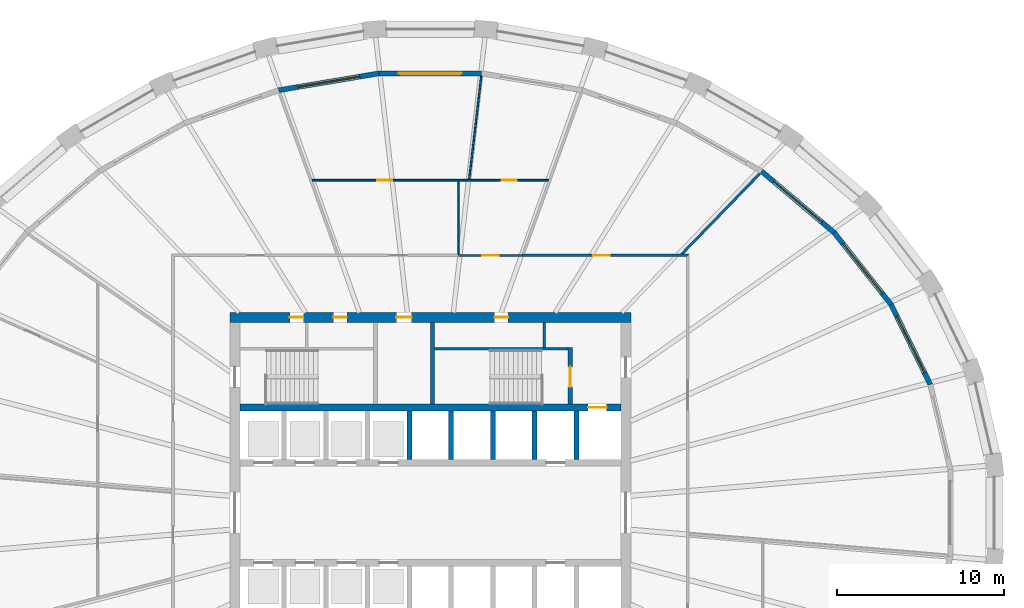
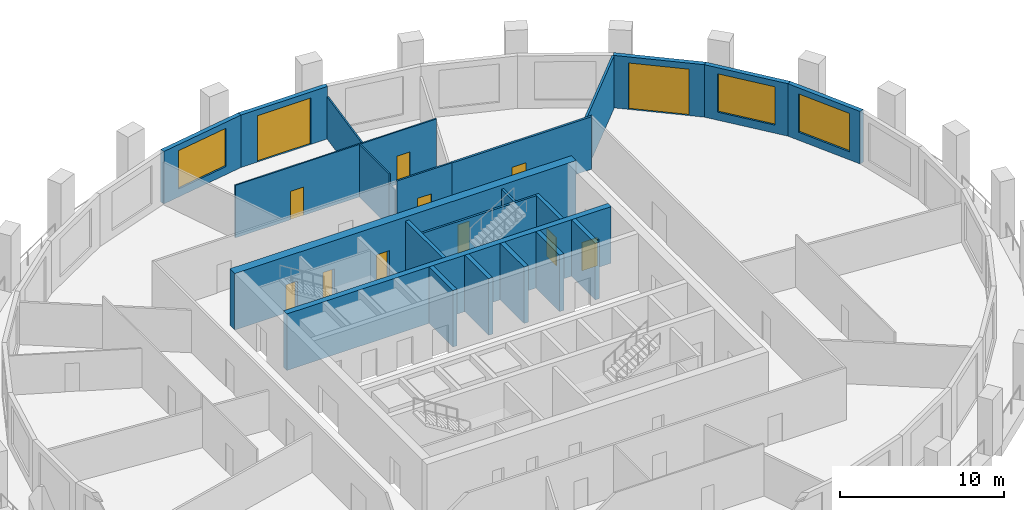
# One storey, part 6 of 10: 23 walls, 12 doors, 3 windows, 15 openings.
"""IFC4 building model written with IfcOpenShell, lengths in metres."""

from ifc_helpers import new_model, si_unit, direction, frame, frame_2d, origin, place, context, subcontext, project, spatial, polyline, rectangle, outline, extrude, material, layer, layer_set, type_object, element, fill, save


model = new_model("IFC4")

# Units and contexts
model_context = context("Model", 3, precision=1e-05, world=origin(), true_north=direction((0.0, 1.0)))
body_context = subcontext(model_context, "Body", "Model", "MODEL_VIEW")
ifc_project = project(units=[si_unit("LENGTHUNIT", "METRE"), si_unit("AREAUNIT", "SQUARE_METRE"), si_unit("VOLUMEUNIT", "CUBIC_METRE"), si_unit("PLANEANGLEUNIT", "RADIAN"), si_unit("MASSUNIT", "GRAM", prefix="KILO")], contexts=[model_context])

# Site, building, storey
site_placement = place(None, origin())
site = spatial("IfcSite", under=ifc_project, at=site_placement, CompositionType="ELEMENT")
building_placement = place(site_placement, origin())
building = spatial("IfcBuilding", under=site, at=building_placement, Name="Halqa Exchange Tower", CompositionType="ELEMENT")
storey_placement = place(building_placement, frame((0.0, 0.0, 154.89990234375)))
storey = spatial("IfcBuildingStorey", under=building, at=storey_placement, Name="L35", CompositionType="ELEMENT", Elevation=154.89990234375)

# Wall, opening, door
ifc_material_1 = material(Name="Fire-rated gypsum board")
ifc_layer_1 = layer(ifc_material_1, 0.14990234375)
ifc_layer_set_1 = layer_set([ifc_layer_1], Name="Fire-rated gypsum board")
wall_type_1 = type_object("IfcWallType", Name="Fire partition EI 60 150", PredefinedType="PARTITIONING", material=ifc_layer_set_1)
wall_1_placement = place(storey_placement, frame((5.530029296875, 15.39990234375, 0.0), z_axis=(0.0, 0.0, 1.0), x_axis=(1.0, 0.0, 0.0)))
wall_1 = element("IfcWall", 1, at=wall_1_placement, inside=storey, type_object=wall_type_1, Name="L35-PWL-020", PredefinedType="PARTITIONING", context=body_context, shape_type="SweptSolid", body=[
    extrude(outline(polyline([(0.0, -0.074951171875), (1.958984375, -0.074951171875), (3.91796875, -0.074951171875), (5.876953125, -0.074951171875), (7.8359375, -0.074951171875), (9.794921875, -0.074951171875), (9.94482421875, 0.074951171875), (7.955810546875, 0.074951171875), (5.966796875, 0.074951171875), (3.97802734375, 0.074951171875), (1.989013671875, 0.074951171875), (0.0, 0.074951171875), (0.0, -0.074951171875)])), origin(), (0.0, 0.0, 1.0), 3.900146484375),
])
opening_1_placement = place(wall_1_placement, frame((4.219970703125, 0.0, 0.0)))
opening_1 = element("IfcOpeningElement", 2, at=opening_1_placement, cuts=wall_1, Name="Opening 11-12", PredefinedType="OPENING", context=body_context, shape_type="SweptSolid", body=[
    extrude(rectangle(XDim=1.0, YDim=2.10009765625, at=frame_2d((0.5, 1.050048828125))), frame((0.0, 0.0869140625, 0.0), z_axis=(0.0, -1.0, 0.0), x_axis=(1.0, 0.0, 0.0)), (0.0, 0.0, 1.0), 0.173828125),
])
ifc_material_2 = material(Name="Steel fire door leaf", Category="steel")
door_type_1 = type_object("IfcDoorType", Name="Fire door FD30S 1000 x 2100", OperationType="SINGLE_SWING_LEFT", PredefinedType="DOOR", material=ifc_material_2)
door_1_placement = place(opening_1_placement, origin())
door_1 = element("IfcDoor", 3, at=door_1_placement, inside=storey, type_object=door_type_1, Name="L35-IDR-012", OperationType="SINGLE_SWING_RIGHT", OverallHeight=2.10009765625, OverallWidth=1.0, PredefinedType="DOOR", context=body_context, shape_type="SweptSolid", body=[
    extrude(rectangle(XDim=1.0, YDim=2.10009765625, at=frame_2d((0.5, 1.050048828125))), frame((0.0, 0.02490234375, 0.0), z_axis=(0.0, -1.0, 0.0), x_axis=(1.0, 0.0, 0.0)), (0.0, 0.0, 1.0), 0.050048828125),
])
fill(opening_1, door_1)

# Wall
wall_2_placement = place(storey_placement, frame((14.9921875, 15.423095703125, 0.0), z_axis=(0.0, 0.0, 1.0), x_axis=(0.696574400919, 0.71748456707, 0.0)))
element("IfcWall", 4, at=wall_2_placement, inside=storey, type_object=wall_type_1, Name="L35-PWL-021", PredefinedType="PARTITIONING", context=body_context, shape_type="SweptSolid", body=[
    extrude(outline(polyline([(0.0, 0.074951171875), (0.0, 0.074462890625), (0.14501953125, -0.074951171875), (1.8076171875, -0.074951171875), (3.47021484375, -0.074951171875), (5.132568359375, -0.074951171875), (6.795166015625, -0.074951171875), (6.795166015625, 0.074951171875), (5.096435546875, 0.074951171875), (3.3974609375, 0.074951171875), (1.69873046875, 0.074951171875), (0.0, 0.074951171875)])), origin(), (0.0, 0.0, 1.0), 3.900146484375),
])

# Wall, opening, door
ifc_material_3 = material(Name="Fire-rated glazing", Category="glass")
ifc_layer_2 = layer(ifc_material_3, 0.1201171875)
ifc_layer_set_2 = layer_set([ifc_layer_2], Name="Fire-rated glazing")
wall_type_2 = type_object("IfcWallType", Name="Glazed fire partition EI 60 120", PredefinedType="PARTITIONING", material=ifc_layer_set_2)
wall_3_placement = place(storey_placement, frame((1.679931640625, 15.39990234375, 0.0), z_axis=(0.0, 0.0, 1.0), x_axis=(1.0, 0.0, 0.0)))
wall_3 = element("IfcWall", 5, at=wall_3_placement, inside=storey, type_object=wall_type_2, Name="L35-PWL-016", PredefinedType="PARTITIONING", context=body_context, shape_type="SweptSolid", body=[
    extrude(rectangle(XDim=3.85009765625, YDim=0.1201171875, at=frame_2d((1.925048828125, 0.0))), origin(), (0.0, 0.0, 1.0), 3.900146484375),
])
opening_2_placement = place(wall_3_placement, frame((1.425048828125, 0.0, 0.0)))
opening_2 = element("IfcOpeningElement", 6, at=opening_2_placement, cuts=wall_3, Name="Opening 11-01", PredefinedType="OPENING", context=body_context, shape_type="SweptSolid", body=[
    extrude(rectangle(XDim=1.0, YDim=2.10009765625, at=frame_2d((0.5, 1.050048828125))), frame((0.0, 0.072021484375, 0.0), z_axis=(0.0, -1.0, 0.0), x_axis=(1.0, 0.0, 0.0)), (0.0, 0.0, 1.0), 0.14404296875),
])
door_2_placement = place(opening_2_placement, origin())
door_2 = element("IfcDoor", 7, at=door_2_placement, inside=storey, type_object=door_type_1, Name="L35-IDR-001", OperationType="SINGLE_SWING_LEFT", OverallHeight=2.10009765625, OverallWidth=1.0, PredefinedType="DOOR", context=body_context, shape_type="SweptSolid", body=[
    extrude(rectangle(XDim=1.0, YDim=2.10009765625, at=frame_2d((0.5, 1.050048828125))), frame((0.0, 0.02490234375, 0.0), z_axis=(0.0, -1.0, 0.0), x_axis=(1.0, 0.0, 0.0)), (0.0, 0.0, 1.0), 0.050048828125),
])
fill(opening_2, door_2)

# Wall, openings, doors
ifc_material_4 = material(Name="Gypsum board")
ifc_layer_3 = layer(ifc_material_4, 0.10009765625)
ifc_layer_set_3 = layer_set([ifc_layer_3], Name="Gypsum board")
wall_type_3 = type_object("IfcWallType", Name="Partition 100 gypsum", PredefinedType="PARTITIONING", material=ifc_layer_set_3)
wall_4_placement = place(storey_placement, frame((-7.08740234375, 19.89990234375, 0.0), z_axis=(0.0, 0.0, 1.0), x_axis=(1.0, 0.0, 0.0)))
wall_4 = element("IfcWall", 8, at=wall_4_placement, inside=storey, type_object=wall_type_3, Name="L35-PWL-013", PredefinedType="PARTITIONING", context=body_context, shape_type="SweptSolid", body=[
    extrude(outline(polyline([(0.03564453125, -0.050048828125), (1.77197265625, -0.050048828125), (3.50830078125, -0.050048828125), (5.24462890625, -0.050048828125), (6.98095703125, -0.050048828125), (8.71728515625, -0.050048828125), (8.71728515625, -0.0498046875), (8.8173828125, -0.0498046875), (8.8173828125, -0.050048828125), (10.59130859375, -0.050048828125), (12.365234375, -0.050048828125), (14.13916015625, -0.050048828125), (14.1748046875, 0.048583984375), (14.1748046875, 0.050048828125), (12.6044921875, 0.050048828125), (11.033935546875, 0.050048828125), (9.463623046875, 0.050048828125), (9.463623046875, 0.048828125), (9.45361328125, 0.050048828125), (7.56298828125, 0.050048828125), (5.672119140625, 0.050048828125), (3.781494140625, 0.050048828125), (1.890625, 0.050048828125), (0.0, 0.050048828125), (0.0, 0.048583984375), (0.03564453125, -0.050048828125)])), origin(), (0.0, 0.0, 1.0), 3.900146484375),
])
opening_3_placement = place(wall_4_placement, frame((3.902587890625, 0.0, 0.0)))
opening_3 = element("IfcOpeningElement", 9, at=opening_3_placement, cuts=wall_4, Name="Opening 11-13", PredefinedType="OPENING", context=body_context, shape_type="SweptSolid", body=[
    extrude(rectangle(XDim=0.89990234375, YDim=2.10009765625, at=frame_2d((0.449951171875, 1.050048828125))), frame((0.0, 0.06201171875, 0.0), z_axis=(0.0, -1.0, 0.0), x_axis=(1.0, 0.0, 0.0)), (0.0, 0.0, 1.0), 0.1240234375),
])
opening_4_placement = place(wall_4_placement, frame((11.37255859375, 0.0, 0.0)))
opening_4 = element("IfcOpeningElement", 10, at=opening_4_placement, cuts=wall_4, Name="Opening 11-14", PredefinedType="OPENING", context=body_context, shape_type="SweptSolid", body=[
    extrude(rectangle(XDim=0.89990234375, YDim=2.10009765625, at=frame_2d((0.449951171875, 1.050048828125))), frame((0.0, 0.06201171875, 0.0), z_axis=(0.0, -1.0, 0.0), x_axis=(1.0, 0.0, 0.0)), (0.0, 0.0, 1.0), 0.1240234375),
])
ifc_material_5 = material(Name="Timber door leaf", Category="wood")
door_type_2 = type_object("IfcDoorType", Name="Door 900 x 2100", OperationType="SINGLE_SWING_LEFT", PredefinedType="DOOR", material=ifc_material_5)
door_3_placement = place(opening_3_placement, frame((0.89990234375, 0.0, 0.0), z_axis=(0.0, 0.0, 1.0), x_axis=(-1.0, 0.0, 0.0)))
door_3 = element("IfcDoor", 11, at=door_3_placement, inside=storey, type_object=door_type_2, Name="L35-IDR-013", OperationType="SINGLE_SWING_LEFT", OverallHeight=2.10009765625, OverallWidth=0.89990234375, PredefinedType="DOOR", context=body_context, shape_type="SweptSolid", body=[
    extrude(rectangle(XDim=0.89990234375, YDim=2.10009765625, at=frame_2d((0.449951171875, 1.050048828125))), frame((0.0, 0.02490234375, 0.0), z_axis=(0.0, -1.0, 0.0), x_axis=(1.0, 0.0, 0.0)), (0.0, 0.0, 1.0), 0.050048828125),
])
fill(opening_3, door_3)
door_4_placement = place(opening_4_placement, frame((0.89990234375, 0.0, 0.0), z_axis=(0.0, 0.0, 1.0), x_axis=(-1.0, 0.0, 0.0)))
door_4 = element("IfcDoor", 12, at=door_4_placement, inside=storey, type_object=door_type_2, Name="L35-IDR-014", OperationType="SINGLE_SWING_RIGHT", OverallHeight=2.10009765625, OverallWidth=0.89990234375, PredefinedType="DOOR", context=body_context, shape_type="SweptSolid", body=[
    extrude(rectangle(XDim=0.89990234375, YDim=2.10009765625, at=frame_2d((0.449951171875, 1.050048828125))), frame((0.0, 0.02490234375, 0.0), z_axis=(0.0, -1.0, 0.0), x_axis=(1.0, 0.0, 0.0)), (0.0, 0.0, 1.0), 0.050048828125),
])
fill(opening_4, door_4)

# Walls
wall_5_placement = place(storey_placement, frame((1.679931640625, 15.46044921875, 0.0), z_axis=(0.0, 0.0, 1.0), x_axis=(0.0, 1.0, 0.0)))
element("IfcWall", 13, at=wall_5_placement, inside=storey, type_object=wall_type_3, Name="L35-PWL-015", PredefinedType="PARTITIONING", context=body_context, shape_type="SweptSolid", body=[
    extrude(outline(polyline([(0.776611328125, 0.050048828125), (0.0146484375, 0.050048828125), (0.0146484375, 0.0), (0.0, 0.0), (0.0, -0.050048828125), (0.776611328125, -0.050048828125), (0.776611328125, 0.050048828125)])), origin(), (0.0, 0.0, 1.0), 3.147216796875),
])
wall_6_placement = place(storey_placement, frame((2.3251953125, 19.944091796875, 0.0), z_axis=(0.0, 0.0, 1.0), x_axis=(0.116750504681, 0.993161275754, 0.0)))
element("IfcWall", 14, at=wall_6_placement, inside=storey, type_object=wall_type_3, Name="L35-PWL-017", PredefinedType="PARTITIONING", context=body_context, shape_type="SweptSolid", body=[
    extrude(outline(polyline([(6.244140625, -0.050048828125), (6.244140625, 0.027099609375), (6.241455078125, 0.050048828125), (4.68115234375, 0.050048828125), (3.120849609375, 0.050048828125), (1.560302734375, 0.050048828125), (0.0, 0.050048828125), (0.01171875, -0.050048828125), (1.56982421875, -0.050048828125), (3.1279296875, -0.050048828125), (4.68603515625, -0.050048828125), (6.244140625, -0.050048828125)])), origin(), (0.0, 0.0, 1.0), 3.147216796875),
])
wall_7_placement = place(storey_placement, frame((1.679931640625, 16.237060546875, 0.0), z_axis=(0.0, 0.0, 1.0), x_axis=(0.0, 1.0, 0.0)))
element("IfcWall", 15, at=wall_7_placement, inside=storey, type_object=wall_type_3, Name="L35-PWL-026", PredefinedType="PARTITIONING", context=body_context, shape_type="SweptSolid", body=[
    extrude(outline(polyline([(0.0, -0.050048828125), (1.806396484375, -0.050048828125), (3.613037109375, -0.050048828125), (3.613037109375, 0.050048828125), (1.806396484375, 0.050048828125), (0.0, 0.050048828125), (0.0, -0.050048828125)])), origin(), (0.0, 0.0, 1.0), 3.900146484375),
])
ifc_layer_4 = layer(ifc_material_4, 0.14990234375)
ifc_layer_set_4 = layer_set([ifc_layer_4], Name="Gypsum board")
wall_type_4 = type_object("IfcWallType", Name="Penthouse riser wall 150 gypsum", PredefinedType="PARTITIONING", material=ifc_layer_set_4)
wall_8_placement = place(storey_placement, frame((6.824951171875, 9.89990234375, 0.0), z_axis=(0.0, 0.0, 1.0), x_axis=(0.0, 1.0, 0.0)))
element("IfcWall", 16, at=wall_8_placement, inside=storey, type_object=wall_type_4, Name="Firefighting lobby west wall N", PredefinedType="PARTITIONING", context=body_context, shape_type="SweptSolid", body=[
    extrude(rectangle(XDim=1.5, YDim=0.14990234375, at=frame_2d((0.75, 0.0))), origin(), (0.0, 0.0, 1.0), 3.900146484375),
])
ifc_material_6 = material(Name="Concrete C60/75", Category="concrete")
ifc_layer_5 = layer(ifc_material_6, 0.300048828125)
ifc_layer_set_5 = layer_set([ifc_layer_5], Name="Concrete C60/75")
wall_type_5 = type_object("IfcWallType", Name="RC core wall 300", PredefinedType="SHEAR", material=ifc_layer_set_5)
for number, where, z_axis, x_axis, name in (
    (17, (-1.25, 3.199951171875, 0.0), (0.0, 0.0, 1.0), (0.0, 1.0, 0.0), "Shaft divider N4"),
    (18, (1.25, 3.199951171875, 0.0), (0.0, 0.0, 1.0), (0.0, 1.0, 0.0), "Shaft divider N5"),
    (19, (3.75, 3.199951171875, 0.0), (0.0, 0.0, 1.0), (0.0, 1.0, 0.0), "Shaft divider N6"),
    (20, (6.25, 3.199951171875, 0.0), (0.0, 0.0, 1.0), (0.0, 1.0, 0.0), "Shaft divider N7"),
    (21, (8.75, 3.199951171875, 0.0), (0.0, 0.0, 1.0), (0.0, 1.0, 0.0), "Shaft divider N8"),
):
    element("IfcWall", number, at=place(storey_placement, frame(where, z_axis=z_axis, x_axis=x_axis)), inside=storey, type_object=wall_type_5, Name=name, PredefinedType="SHEAR", context=body_context, shape_type="SweptSolid", body=[
        extrude(rectangle(XDim=2.900146484375, YDim=0.300048828125, at=frame_2d((1.4501953125, 0.0))), origin(), (0.0, 0.0, 1.0), 4.2001953125),
    ])

# Wall, opening, door
ifc_material_7 = material(Name="Concrete C70/85", Category="concrete")
ifc_layer_6 = layer(ifc_material_7, 0.39990234375)
ifc_layer_set_6 = layer_set([ifc_layer_6], Name="Concrete C70/85")
wall_type_6 = type_object("IfcWallType", Name="RC core wall 400 C70/85", PredefinedType="SHEAR", material=ifc_layer_set_6)
wall_9_placement = place(storey_placement, frame((-11.39990234375, 6.300048828125, 0.0), z_axis=(0.0, 0.0, 1.0), x_axis=(1.0, 0.0, 0.0)))
wall_9 = element("IfcWall", 22, at=wall_9_placement, inside=storey, type_object=wall_type_6, Name="Lift row back wall N", PredefinedType="SHEAR", context=body_context, shape_type="SweptSolid", body=[
    extrude(rectangle(XDim=22.7998046875, YDim=0.39990234375, at=frame_2d((11.39990234375, 0.0))), origin(), (0.0, 0.0, 1.0), 4.2001953125),
])
opening_5_placement = place(wall_9_placement, frame((20.85009765625, 0.0, 0.0)))
opening_5 = element("IfcOpeningElement", 23, at=opening_5_placement, cuts=wall_9, Name="Opening LD-FF1-T11", PredefinedType="OPENING", context=body_context, shape_type="SweptSolid", body=[
    extrude(rectangle(XDim=1.10009765625, YDim=2.10009765625, at=frame_2d((0.550048828125, 1.050048828125))), frame((0.0, 0.2119140625, 0.0), z_axis=(0.0, -1.0, 0.0), x_axis=(1.0, 0.0, 0.0)), (0.0, 0.0, 1.0), 0.423828125),
])
ifc_material_8 = material(Name="Stainless steel", Category="steel")
door_type_3 = type_object("IfcDoorType", Name="Lift landing door 1100 x 2100", OperationType="SLIDING_TO_LEFT", PredefinedType="DOOR", material=ifc_material_8)
door_5_placement = place(opening_5_placement, origin())
door_5 = element("IfcDoor", 24, at=door_5_placement, inside=storey, type_object=door_type_3, Name="Lift landing door FF1", OperationType="SLIDING_TO_LEFT", OverallHeight=2.10009765625, OverallWidth=1.10009765625, PredefinedType="DOOR", context=body_context, shape_type="SweptSolid", body=[
    extrude(rectangle(XDim=1.10009765625, YDim=2.10009765625, at=frame_2d((0.550048828125, 1.050048828125))), frame((0.0, 0.02490234375, 0.0), z_axis=(0.0, -1.0, 0.0), x_axis=(1.0, 0.0, 0.0)), (0.0, 0.0, 1.0), 0.050048828125),
])
fill(opening_5, door_5)

# Wall, openings, doors
ifc_layer_7 = layer(ifc_material_7, 0.60009765625)
ifc_layer_set_7 = layer_set([ifc_layer_7], Name="Concrete C70/85")
wall_type_7 = type_object("IfcWallType", Name="RC core wall 600 C70/85", PredefinedType="SHEAR", material=ifc_layer_set_7)
wall_10_placement = place(storey_placement, frame((-12.0, 11.699951171875, 0.0), z_axis=(0.0, 0.0, 1.0), x_axis=(1.0, 0.0, 0.0)))
wall_10 = element("IfcWall", 25, at=wall_10_placement, inside=storey, type_object=wall_type_7, Name="Core wall north", PredefinedType="SHEAR", context=body_context, shape_type="SweptSolid", body=[
    extrude(rectangle(XDim=24.0, YDim=0.60009765625, at=frame_2d((12.0, 0.0))), origin(), (0.0, 0.0, 1.0), 4.2001953125),
])
opening_6_placement = place(wall_10_placement, frame((9.97509765625, 0.0, 0.0)))
opening_6 = element("IfcOpeningElement", 26, at=opening_6_placement, cuts=wall_10, Name="Opening T11-C21", PredefinedType="OPENING", context=body_context, shape_type="SweptSolid", body=[
    extrude(rectangle(XDim=0.89990234375, YDim=2.10009765625, at=frame_2d((0.449951171875, 1.050048828125))), frame((0.0, 0.31201171875, 0.0), z_axis=(0.0, -1.0, 0.0), x_axis=(1.0, 0.0, 0.0)), (0.0, 0.0, 1.0), 0.6240234375),
])
opening_7_placement = place(wall_10_placement, frame((3.60009765625, 0.0, 0.0)))
opening_7 = element("IfcOpeningElement", 27, at=opening_7_placement, cuts=wall_10, Name="Opening T11-C22", PredefinedType="OPENING", context=body_context, shape_type="SweptSolid", body=[
    extrude(rectangle(XDim=0.800048828125, YDim=2.10009765625, at=frame_2d((0.39990234375, 1.050048828125))), frame((0.0, 0.31201171875, 0.0), z_axis=(0.0, -1.0, 0.0), x_axis=(1.0, 0.0, 0.0)), (0.0, 0.0, 1.0), 0.6240234375),
])
opening_8_placement = place(wall_10_placement, frame((6.199951171875, 0.0, 0.0)))
opening_8 = element("IfcOpeningElement", 28, at=opening_8_placement, cuts=wall_10, Name="Opening T11-C23", PredefinedType="OPENING", context=body_context, shape_type="SweptSolid", body=[
    extrude(rectangle(XDim=0.800048828125, YDim=2.10009765625, at=frame_2d((0.39990234375, 1.050048828125))), frame((0.0, 0.31201171875, 0.0), z_axis=(0.0, -1.0, 0.0), x_axis=(1.0, 0.0, 0.0)), (0.0, 0.0, 1.0), 0.6240234375),
])
opening_9_placement = place(wall_10_placement, frame((15.85009765625, 0.0, 0.0)))
opening_9 = element("IfcOpeningElement", 29, at=opening_9_placement, cuts=wall_10, Name="Opening T11-C24", PredefinedType="OPENING", context=body_context, shape_type="SweptSolid", body=[
    extrude(rectangle(XDim=0.800048828125, YDim=2.10009765625, at=frame_2d((0.39990234375, 1.050048828125))), frame((0.0, 0.31201171875, 0.0), z_axis=(0.0, -1.0, 0.0), x_axis=(1.0, 0.0, 0.0)), (0.0, 0.0, 1.0), 0.6240234375),
])
ifc_material_9 = material(Name="Timber fire door leaf", Category="wood")
door_type_4 = type_object("IfcDoorType", Name="Core room door FD30 900 x 2100", OperationType="SINGLE_SWING_LEFT", PredefinedType="DOOR", material=ifc_material_9)
door_6_placement = place(opening_6_placement, frame((0.89990234375, 0.0, 0.0), z_axis=(0.0, 0.0, 1.0), x_axis=(-1.0, 0.0, 0.0)))
door_6 = element("IfcDoor", 30, at=door_6_placement, inside=storey, type_object=door_type_4, Name="Core room door", OperationType="SINGLE_SWING_RIGHT", OverallHeight=2.10009765625, OverallWidth=0.89990234375, PredefinedType="DOOR", context=body_context, shape_type="SweptSolid", body=[
    extrude(rectangle(XDim=0.89990234375, YDim=2.10009765625, at=frame_2d((0.449951171875, 1.050048828125))), frame((0.0, 0.02490234375, 0.0), z_axis=(0.0, -1.0, 0.0), x_axis=(1.0, 0.0, 0.0)), (0.0, 0.0, 1.0), 0.050048828125),
])
fill(opening_6, door_6)
door_type_5 = type_object("IfcDoorType", Name="Riser door FD60 800 x 2100", OperationType="SINGLE_SWING_LEFT", PredefinedType="DOOR", material=ifc_material_2)
door_7_placement = place(opening_7_placement, frame((0.800048828125, 0.0, 0.0), z_axis=(0.0, 0.0, 1.0), x_axis=(-1.0, 0.0, 0.0)))
door_7 = element("IfcDoor", 31, at=door_7_placement, inside=storey, type_object=door_type_5, Name="Core room door", OperationType="SINGLE_SWING_RIGHT", OverallHeight=2.10009765625, OverallWidth=0.800048828125, PredefinedType="DOOR", context=body_context, shape_type="SweptSolid", body=[
    extrude(rectangle(XDim=0.800048828125, YDim=2.10009765625, at=frame_2d((0.39990234375, 1.050048828125))), frame((0.0, 0.02490234375, 0.0), z_axis=(0.0, -1.0, 0.0), x_axis=(1.0, 0.0, 0.0)), (0.0, 0.0, 1.0), 0.050048828125),
])
fill(opening_7, door_7)
door_8_placement = place(opening_8_placement, frame((0.800048828125, 0.0, 0.0), z_axis=(0.0, 0.0, 1.0), x_axis=(-1.0, 0.0, 0.0)))
door_8 = element("IfcDoor", 32, at=door_8_placement, inside=storey, type_object=door_type_5, Name="Core room door", OperationType="SINGLE_SWING_RIGHT", OverallHeight=2.10009765625, OverallWidth=0.800048828125, PredefinedType="DOOR", context=body_context, shape_type="SweptSolid", body=[
    extrude(rectangle(XDim=0.800048828125, YDim=2.10009765625, at=frame_2d((0.39990234375, 1.050048828125))), frame((0.0, 0.02490234375, 0.0), z_axis=(0.0, -1.0, 0.0), x_axis=(1.0, 0.0, 0.0)), (0.0, 0.0, 1.0), 0.050048828125),
])
fill(opening_8, door_8)
door_9_placement = place(opening_9_placement, frame((0.800048828125, 0.0, 0.0), z_axis=(0.0, 0.0, 1.0), x_axis=(-1.0, 0.0, 0.0)))
door_9 = element("IfcDoor", 33, at=door_9_placement, inside=storey, type_object=door_type_5, Name="Core room door", OperationType="SINGLE_SWING_RIGHT", OverallHeight=2.10009765625, OverallWidth=0.800048828125, PredefinedType="DOOR", context=body_context, shape_type="SweptSolid", body=[
    extrude(rectangle(XDim=0.800048828125, YDim=2.10009765625, at=frame_2d((0.39990234375, 1.050048828125))), frame((0.0, 0.02490234375, 0.0), z_axis=(0.0, -1.0, 0.0), x_axis=(1.0, 0.0, 0.0)), (0.0, 0.0, 1.0), 0.050048828125),
])
fill(opening_9, door_9)

# Walls
ifc_material_10 = material(Name="Concrete C30/37", Category="concrete")
ifc_layer_8 = layer(ifc_material_10, 0.14990234375)
ifc_layer_set_8 = layer_set([ifc_layer_8], Name="Concrete C30/37")
wall_type_8 = type_object("IfcWallType", Name="RC stair wall 150 C30/37", PredefinedType="SHEAR", material=ifc_layer_set_8)
wall_11_placement = place(storey_placement, frame((0.25, 9.824951171875, 0.0), z_axis=(0.0, 0.0, 1.0), x_axis=(1.0, 0.0, 0.0)))
element("IfcWall", 34, at=wall_11_placement, inside=storey, type_object=wall_type_8, Name="Stair ST2 north wall N", PredefinedType="SHEAR", context=body_context, shape_type="SweptSolid", body=[
    extrude(rectangle(XDim=8.0, YDim=0.14990234375, at=frame_2d((4.0, 0.0))), origin(), (0.0, 0.0, 1.0), 3.900146484375),
])
ifc_layer_9 = layer(ifc_material_10, 0.25)
ifc_layer_set_9 = layer_set([ifc_layer_9], Name="Concrete C30/37")
wall_type_9 = type_object("IfcWallType", Name="RC stair wall 250 C30/37", PredefinedType="SHEAR", material=ifc_layer_set_9)
wall_12_placement = place(storey_placement, frame((0.125, 6.5, 0.0), z_axis=(0.0, 0.0, 1.0), x_axis=(0.0, 1.0, 0.0)))
element("IfcWall", 35, at=wall_12_placement, inside=storey, type_object=wall_type_9, Name="Stair ST2 west wall N", PredefinedType="SHEAR", context=body_context, shape_type="SweptSolid", body=[
    extrude(rectangle(XDim=4.89990234375, YDim=0.25, at=frame_2d((2.449951171875, 0.0))), origin(), (0.0, 0.0, 1.0), 3.900146484375),
])

# Wall, opening, door
wall_13_placement = place(storey_placement, frame((8.375, 6.5, 0.0), z_axis=(0.0, 0.0, 1.0), x_axis=(0.0, 1.0, 0.0)))
wall_13 = element("IfcWall", 36, at=wall_13_placement, inside=storey, type_object=wall_type_9, Name="Stair ST2 east wall N", PredefinedType="SHEAR", context=body_context, shape_type="SweptSolid", body=[
    extrude(rectangle(XDim=3.39990234375, YDim=0.25, at=frame_2d((1.699951171875, 0.0))), origin(), (0.0, 0.0, 1.0), 3.900146484375),
])
opening_10_placement = place(wall_13_placement, frame((1.02490234375, 0.0, 0.0)))
opening_10 = element("IfcOpeningElement", 37, at=opening_10_placement, cuts=wall_13, Name="Opening T11-C16", PredefinedType="OPENING", context=body_context, shape_type="SweptSolid", body=[
    extrude(rectangle(XDim=1.199951171875, YDim=2.10009765625, at=frame_2d((0.60009765625, 1.050048828125))), frame((0.0, 0.136962890625, 0.0), z_axis=(0.0, -1.0, 0.0), x_axis=(1.0, 0.0, 0.0)), (0.0, 0.0, 1.0), 0.27392578125),
])
door_type_6 = type_object("IfcDoorType", Name="Stair door FD90 1200 x 2100", OperationType="SINGLE_SWING_LEFT", PredefinedType="DOOR", material=ifc_material_2)
door_10_placement = place(opening_10_placement, origin())
door_10 = element("IfcDoor", 38, at=door_10_placement, inside=storey, type_object=door_type_6, Name="Stair door ST2", OperationType="SINGLE_SWING_LEFT", OverallHeight=2.10009765625, OverallWidth=1.199951171875, PredefinedType="DOOR", context=body_context, shape_type="SweptSolid", body=[
    extrude(rectangle(XDim=1.199951171875, YDim=2.10009765625, at=frame_2d((0.60009765625, 1.050048828125))), frame((0.0, 0.02490234375, 0.0), z_axis=(0.0, -1.0, 0.0), x_axis=(1.0, 0.0, 0.0)), (0.0, 0.0, 1.0), 0.050048828125),
])
fill(opening_10, door_10)

# Wall, opening, window
ifc_material_11 = material(Name="Limestone cladding", Category="masonry")
ifc_layer_10 = layer(ifc_material_11, 0.0400390625)
ifc_material_12 = material(Name="Ventilated cavity")
ifc_layer_11 = layer(ifc_material_12, 0.030029296875, ventilated=True)
ifc_material_13 = material(Name="Mineral wool insulation")
ifc_layer_12 = layer(ifc_material_13, 0.10009765625)
ifc_layer_13 = layer(ifc_material_10, 0.10009765625)
ifc_material_14 = material(Name="Internal plaster")
ifc_layer_14 = layer(ifc_material_14, 0.030029296875)
ifc_layer_set_10 = layer_set([ifc_layer_10, ifc_layer_11, ifc_layer_12, ifc_layer_13, ifc_layer_14], Name="Stone-faced insulated wall 300")
wall_type_10 = type_object("IfcWallType", Name="Stone-faced insulated wall 300", PredefinedType="STANDARD", material=ifc_layer_set_10)
wall_14_placement = place(storey_placement, frame((29.923095703125, 7.67822265625, 0.0), z_axis=(0.0, 0.0, 1.0), x_axis=(-0.440444485575, 0.897779847806, 0.0)))
wall_14 = element("IfcWall", 39, at=wall_14_placement, inside=storey, type_object=wall_type_10, Name="Glass-line wall 2", PredefinedType="STANDARD", context=body_context, shape_type="SweptSolid", body=[
    extrude(outline(polyline([(-0.016845703125, -0.14990234375), (5.349609375, -0.14990234375), (5.3173828125, 0.14990234375), (0.016845703125, 0.14990234375), (-0.016845703125, -0.14990234375)])), origin(), (0.0, 0.0, 1.0), 3.900146484375),
])
opening_11_placement = place(wall_14_placement, frame((0.791748046875, 0.0, 0.60009765625)))
opening_11 = element("IfcOpeningElement", 40, at=opening_11_placement, cuts=wall_14, Name="Opening W-F2-02", PredefinedType="OPENING", context=body_context, shape_type="SweptSolid", body=[
    extrude(rectangle(XDim=3.75, YDim=2.85009765625, at=frame_2d((1.875, 1.425048828125))), frame((0.0, 0.162109375, 0.0), z_axis=(0.0, -1.0, 0.0), x_axis=(1.0, 0.0, 0.0)), (0.0, 0.0, 1.0), 0.323974609375),
])
ifc_material_15 = material(Name="Clear low-emissivity glass in aluminium frame", Category="aluminium")
window_type = type_object("IfcWindowType", Name="Fixed clear glazed window 3750 x 2850", PartitioningType="TRIPLE_PANEL_VERTICAL", PredefinedType="WINDOW", material=ifc_material_15)
window_1_placement = place(opening_11_placement, origin())
window_1 = element("IfcWindow", 41, at=window_1_placement, inside=storey, type_object=window_type, Name="Window 2", OverallHeight=2.85009765625, OverallWidth=3.75, PartitioningType="TRIPLE_PANEL_VERTICAL", PredefinedType="WINDOW", context=body_context, shape_type="SweptSolid", body=[
    extrude(rectangle(XDim=3.75, YDim=2.85009765625, at=frame_2d((1.875, 1.425048828125))), frame((0.0, 0.030029296875, 0.0), z_axis=(0.0, -1.0, 0.0), x_axis=(1.0, 0.0, 0.0)), (0.0, 0.0, 1.0), 0.06005859375),
])
fill(opening_11, window_1)

wall_15_placement = place(storey_placement, frame((27.573974609375, 12.466552734375, 0.0), z_axis=(0.0, 0.0, 1.0), x_axis=(-0.620577705153, 0.784144955902, 0.0)))
wall_15 = element("IfcWall", 42, at=wall_15_placement, inside=storey, type_object=wall_type_10, Name="Glass-line wall 3", PredefinedType="STANDARD", context=body_context, shape_type="SweptSolid", body=[
    extrude(outline(polyline([(-0.01611328125, -0.14990234375), (5.5078125, -0.14990234375), (5.4775390625, 0.14990234375), (0.01611328125, 0.14990234375), (-0.01611328125, -0.14990234375)])), origin(), (0.0, 0.0, 1.0), 3.900146484375),
])
opening_12_placement = place(wall_15_placement, frame((0.871337890625, 0.0, 0.60009765625)))
opening_12 = element("IfcOpeningElement", 43, at=opening_12_placement, cuts=wall_15, Name="Opening W-F2-03", PredefinedType="OPENING", context=body_context, shape_type="SweptSolid", body=[
    extrude(rectangle(XDim=3.75, YDim=2.85009765625, at=frame_2d((1.875, 1.425048828125))), frame((0.0, 0.162109375, 0.0), z_axis=(0.0, -1.0, 0.0), x_axis=(1.0, 0.0, 0.0)), (0.0, 0.0, 1.0), 0.323974609375),
])
window_2_placement = place(opening_12_placement, origin())
window_2 = element("IfcWindow", 44, at=window_2_placement, inside=storey, type_object=window_type, Name="Window 2", OverallHeight=2.85009765625, OverallWidth=3.75, PartitioningType="TRIPLE_PANEL_VERTICAL", PredefinedType="WINDOW", context=body_context, shape_type="SweptSolid", body=[
    extrude(rectangle(XDim=3.75, YDim=2.85009765625, at=frame_2d((1.875, 1.425048828125))), frame((0.0, 0.030029296875, 0.0), z_axis=(0.0, -1.0, 0.0), x_axis=(1.0, 0.0, 0.0)), (0.0, 0.0, 1.0), 0.06005859375),
])
fill(opening_12, window_2)

# Wall, opening, door
wall_16_placement = place(storey_placement, frame((24.165283203125, 16.773681640625, 0.0), z_axis=(0.0, 0.0, 1.0), x_axis=(-0.764076096085, 0.645126126732, 0.0)))
wall_16 = element("IfcWall", 45, at=wall_16_placement, inside=storey, type_object=wall_type_10, Name="Glass-line wall 4", PredefinedType="STANDARD", context=body_context, shape_type="SweptSolid", body=[
    extrude(outline(polyline([(-0.01513671875, -0.14990234375), (5.689208984375, -0.14990234375), (5.660888671875, 0.14990234375), (0.01513671875, 0.14990234375), (-0.01513671875, -0.14990234375)])), origin(), (0.0, 0.0, 1.0), 3.900146484375),
])
opening_13_placement = place(wall_16_placement, frame((0.96240234375, 0.0, 0.0)))
opening_13 = element("IfcOpeningElement", 46, at=opening_13_placement, cuts=wall_16, Name="Opening LG-F2-01", PredefinedType="OPENING", context=body_context, shape_type="SweptSolid", body=[
    extrude(rectangle(XDim=3.75, YDim=3.449951171875, at=frame_2d((1.875, 1.72509765625))), frame((0.0, 0.162109375, 0.0), z_axis=(0.0, -1.0, 0.0), x_axis=(1.0, 0.0, 0.0)), (0.0, 0.0, 1.0), 0.323974609375),
])
door_type_7 = type_object("IfcDoorType", Name="Glazed sliding loggia door 3750 x 3450", OperationType="DOUBLE_DOOR_SLIDING", PredefinedType="DOOR", material=ifc_material_15)
door_11_placement = place(opening_13_placement, origin())
door_11 = element("IfcDoor", 47, at=door_11_placement, inside=storey, type_object=door_type_7, Name="Loggia door 1", OperationType="DOUBLE_DOOR_SLIDING", OverallHeight=3.449951171875, OverallWidth=3.75, PredefinedType="DOOR", context=body_context, shape_type="SweptSolid", body=[
    extrude(rectangle(XDim=3.75, YDim=3.449951171875, at=frame_2d((1.875, 1.72509765625))), frame((0.0, 0.02490234375, 0.0), z_axis=(0.0, -1.0, 0.0), x_axis=(1.0, 0.0, 0.0)), (0.0, 0.0, 1.0), 0.050048828125),
])
fill(opening_13, door_11)

wall_17_placement = place(storey_placement, frame((3.06298828125, 26.298583984375, 0.0), z_axis=(0.0, 0.0, 1.0), x_axis=(-1.0, 0.0, 0.0)))
wall_17 = element("IfcWall", 48, at=wall_17_placement, inside=storey, type_object=wall_type_10, Name="Glass-line wall 8", PredefinedType="STANDARD", context=body_context, shape_type="SweptSolid", body=[
    extrude(outline(polyline([(-0.012451171875, -0.14990234375), (6.138427734375, -0.14990234375), (6.113525390625, 0.14990234375), (0.012451171875, 0.14990234375), (-0.012451171875, -0.14990234375)])), origin(), (0.0, 0.0, 1.0), 3.900146484375),
])
opening_14_placement = place(wall_17_placement, frame((1.18798828125, 0.0, 0.0)))
opening_14 = element("IfcOpeningElement", 49, at=opening_14_placement, cuts=wall_17, Name="Opening LG-F2-02", PredefinedType="OPENING", context=body_context, shape_type="SweptSolid", body=[
    extrude(rectangle(XDim=3.75, YDim=3.449951171875, at=frame_2d((1.875, 1.72509765625))), frame((0.0, 0.162109375, 0.0), z_axis=(0.0, -1.0, 0.0), x_axis=(1.0, 0.0, 0.0)), (0.0, 0.0, 1.0), 0.323974609375),
])
door_12_placement = place(opening_14_placement, origin())
door_12 = element("IfcDoor", 50, at=door_12_placement, inside=storey, type_object=door_type_7, Name="Loggia door 2", OperationType="DOUBLE_DOOR_SLIDING", OverallHeight=3.449951171875, OverallWidth=3.75, PredefinedType="DOOR", context=body_context, shape_type="SweptSolid", body=[
    extrude(rectangle(XDim=3.75, YDim=3.449951171875, at=frame_2d((1.875, 1.72509765625))), frame((0.0, 0.02490234375, 0.0), z_axis=(0.0, -1.0, 0.0), x_axis=(1.0, 0.0, 0.0)), (0.0, 0.0, 1.0), 0.050048828125),
])
fill(opening_14, door_12)

# Wall, opening, window
wall_18_placement = place(storey_placement, frame((-3.06298828125, 26.298583984375, 0.0), z_axis=(0.0, 0.0, 1.0), x_axis=(-0.98618955457, -0.165620537547, 0.0)))
wall_18 = element("IfcWall", 51, at=wall_18_placement, inside=storey, type_object=wall_type_10, Name="Glass-line wall 9", PredefinedType="STANDARD", context=body_context, shape_type="SweptSolid", body=[
    extrude(outline(polyline([(-0.012451171875, -0.14990234375), (6.105224609375, -0.14990234375), (6.079833984375, 0.14990234375), (0.012451171875, 0.14990234375), (-0.012451171875, -0.14990234375)])), origin(), (0.0, 0.0, 1.0), 3.900146484375),
])
opening_15_placement = place(wall_18_placement, frame((1.17138671875, 0.0, 0.60009765625)))
opening_15 = element("IfcOpeningElement", 52, at=opening_15_placement, cuts=wall_18, Name="Opening W-F2-09", PredefinedType="OPENING", context=body_context, shape_type="SweptSolid", body=[
    extrude(rectangle(XDim=3.75, YDim=2.85009765625, at=frame_2d((1.875, 1.425048828125))), frame((0.0, 0.162109375, 0.0), z_axis=(0.0, -1.0, 0.0), x_axis=(1.0, 0.0, 0.0)), (0.0, 0.0, 1.0), 0.323974609375),
])
window_3_placement = place(opening_15_placement, origin())
window_3 = element("IfcWindow", 53, at=window_3_placement, inside=storey, type_object=window_type, Name="Window 2", OverallHeight=2.85009765625, OverallWidth=3.75, PartitioningType="TRIPLE_PANEL_VERTICAL", PredefinedType="WINDOW", context=body_context, shape_type="SweptSolid", body=[
    extrude(rectangle(XDim=3.75, YDim=2.85009765625, at=frame_2d((1.875, 1.425048828125))), frame((0.0, 0.030029296875, 0.0), z_axis=(0.0, -1.0, 0.0), x_axis=(1.0, 0.0, 0.0)), (0.0, 0.0, 1.0), 0.06005859375),
])
fill(opening_15, window_3)

save(model, "model.ifc")
